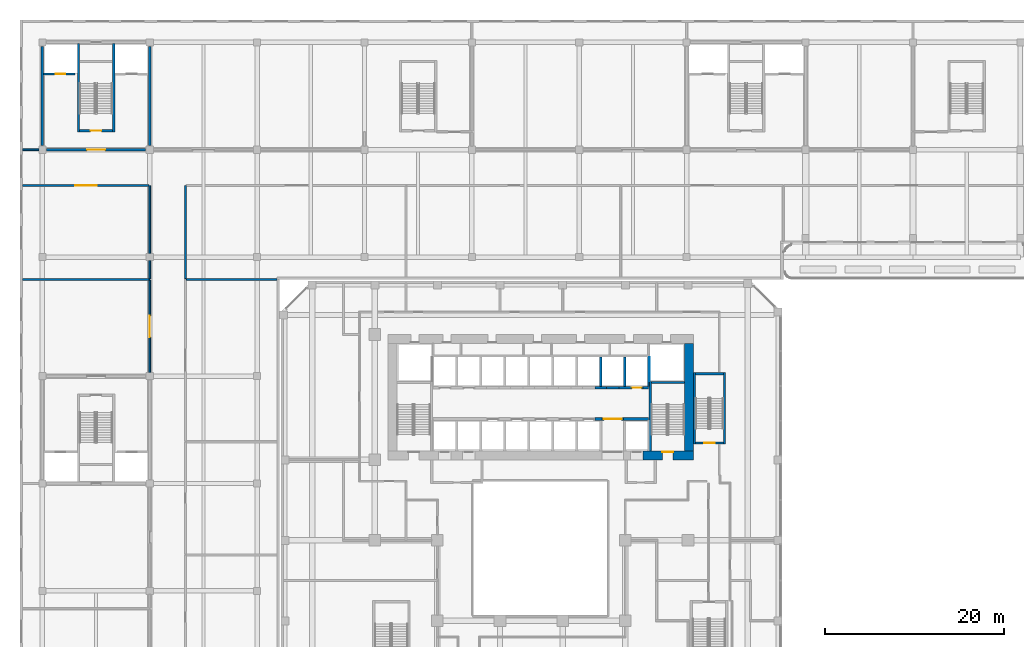
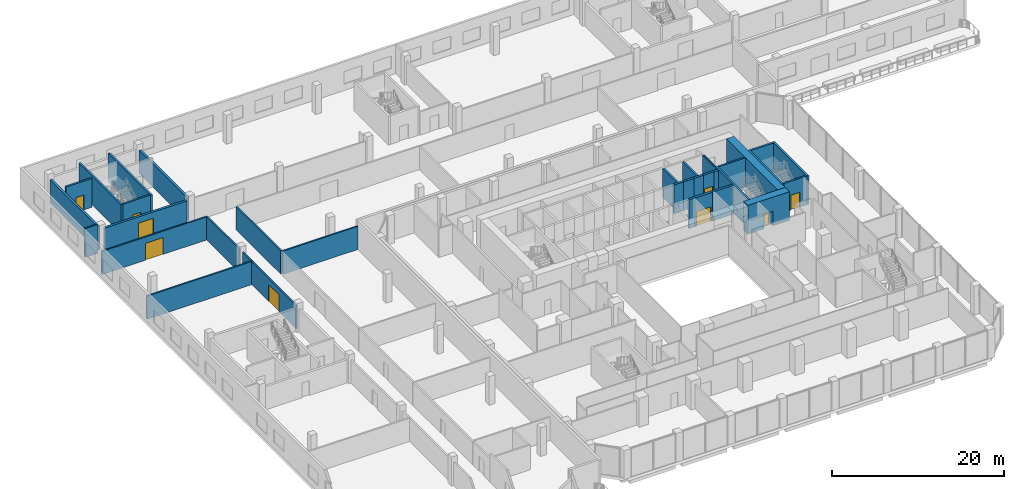
# One storey, part 20 of 35: 35 walls, 9 doors, 9 openings.
"""IFC4 building model written with IfcOpenShell, lengths in metres."""

from ifc_helpers import new_model, si_unit, direction, frame, frame_2d, origin, place, context, subcontext, project, spatial, rectangle, extrude, source, transform, mapped, material, layer, layer_set, type_object, element, fill, save


model = new_model("IFC4")

# Units and contexts
model_context = context("Model", 3, precision=1e-05, world=origin(), true_north=direction((0.0, 1.0)))
body_context = subcontext(model_context, "Body", "Model", "MODEL_VIEW")
ifc_project = project(units=[si_unit("LENGTHUNIT", "METRE"), si_unit("AREAUNIT", "SQUARE_METRE"), si_unit("VOLUMEUNIT", "CUBIC_METRE"), si_unit("PLANEANGLEUNIT", "RADIAN"), si_unit("MASSUNIT", "GRAM", prefix="KILO")], contexts=[model_context])

# Site, building, storey
site_placement = place(None, origin())
site = spatial("IfcSite", under=ifc_project, at=site_placement, CompositionType="ELEMENT")
building_placement = place(site_placement, origin())
building = spatial("IfcBuilding", under=site, at=building_placement, Name="Kilnfold Tower and Market Hall", CompositionType="ELEMENT")
storey_placement = place(building_placement, frame((0.0, 0.0, 13.5)))
storey = spatial("IfcBuildingStorey", under=building, at=storey_placement, Name="L02", CompositionType="ELEMENT", Elevation=13.5)

# Wall, opening, door
ifc_material_1 = material(Name="Concrete C80", Category="concrete")
ifc_layer_1 = layer(ifc_material_1, 1.0)
ifc_layer_set_1 = layer_set([ifc_layer_1], Name="Concrete C80")
wall_type_1 = type_object("IfcWallType", Name="CORE WALL 1000 C80", PredefinedType="SHEAR", material=ifc_layer_set_1)
shared_shape_1 = source(origin(), body_context, "Body", "SweptSolid", [
    extrude(rectangle(XDim=5.630126953125, YDim=1.0, at=frame_2d((2.81494140625, 0.0))), origin(), (0.0, 0.0, 1.0), 4.10009765625),
])
wall_1_placement = place(storey_placement, frame((12.469970703125, 8.5, 0.0), z_axis=(0.0, 0.0, 1.0), x_axis=(1.0, 0.0, 0.0)))
wall_1 = element("IfcWall", 1, at=wall_1_placement, inside=storey, type_object=wall_type_1, Name="Core outer wall south", PredefinedType="SHEAR", context=body_context, shape_type="MappedRepresentation", body=[
    mapped(shared_shape_1, transform((0.0, 0.0, 0.0))),
])
opening_1_placement = place(wall_1_placement, frame((2.179931640625, 0.0, 0.0)))
opening_1 = element("IfcOpeningElement", 2, at=opening_1_placement, cuts=wall_1, Name="Opening SD1", PredefinedType="OPENING", context=body_context, shape_type="SweptSolid", body=[
    extrude(rectangle(XDim=1.199951171875, YDim=2.10009765625, at=frame_2d((0.60009765625, 1.050048828125))), frame((0.0, 0.510009765625, 0.0), z_axis=(0.0, -1.0, 0.0), x_axis=(1.0, 0.0, 0.0)), (0.0, 0.0, 1.0), 1.02001953125),
])
ifc_material_2 = material(Name="Steel door set with fire-resisting leaf", Category="steel")
door_type_1 = type_object("IfcDoorType", Name="STAIR FLOOR DOOR 1200X2100", OperationType="NOTDEFINED", PredefinedType="DOOR", material=ifc_material_2)
door_1_placement = place(opening_1_placement, origin())
door_1 = element("IfcDoor", 3, at=door_1_placement, inside=storey, type_object=door_type_1, Name="Exit stair ST2 door", OperationType="DOUBLE_DOOR_SINGLE_SWING", OverallHeight=2.10009765625, OverallWidth=1.199951171875, PredefinedType="DOOR", context=body_context, shape_type="SweptSolid", body=[
    extrude(rectangle(XDim=1.199951171875, YDim=2.10009765625, at=frame_2d((0.60009765625, 1.050048828125))), frame((0.0, 0.40478515625, 0.0), z_axis=(0.0, -1.0, 0.0), x_axis=(1.0, 0.0, 0.0)), (0.0, 0.0, 1.0), 0.050048828125),
])
fill(opening_1, door_1)

# Walls
shared_shape_2 = source(origin(), body_context, "Body", "SweptSolid", [
    extrude(rectangle(XDim=12.0, YDim=1.0, at=frame_2d((6.0, 0.0))), origin(), (0.0, 0.0, 1.0), 4.10009765625),
])
wall_2_placement = place(storey_placement, frame((17.60009765625, 9.0, 0.0), z_axis=(0.0, 0.0, 1.0), x_axis=(0.0, 1.0, 0.0)))
element("IfcWall", 4, at=wall_2_placement, inside=storey, type_object=wall_type_1, Name="Core outer wall east", PredefinedType="SHEAR", context=body_context, shape_type="MappedRepresentation", body=[
    mapped(shared_shape_2, transform((0.0, 0.0, 0.0))),
])
ifc_material_3 = material(Name="Concrete C80", Category="concrete")
ifc_layer_2 = layer(ifc_material_3, 0.25)
ifc_layer_set_2 = layer_set([ifc_layer_2], Name="Concrete C80")
wall_type_2 = type_object("IfcWallType", Name="CORE WALL 250 C80", PredefinedType="SHEAR", material=ifc_layer_set_2)
shared_shape_3 = source(origin(), body_context, "Body", "SweptSolid", [
    extrude(rectangle(XDim=7.75, YDim=0.25, at=frame_2d((3.875, 0.0))), origin(), (0.0, 0.0, 1.0), 4.10009765625),
])
wall_3_placement = place(storey_placement, frame((13.27490234375, 9.0, 0.0), z_axis=(0.0, 0.0, 1.0), x_axis=(0.0, 1.0, 0.0)))
element("IfcWall", 5, at=wall_3_placement, inside=storey, type_object=wall_type_2, Name="Stair enclosure ST2", PredefinedType="SHEAR", context=body_context, shape_type="MappedRepresentation", body=[
    mapped(shared_shape_3, transform((0.0, 0.0, 0.0))),
])

# Wall, opening, door
ifc_material_4 = material(Name="Concrete C50/60", Category="concrete")
ifc_layer_3 = layer(ifc_material_4, 0.25)
ifc_layer_set_3 = layer_set([ifc_layer_3], Name="Concrete C50/60")
wall_type_3 = type_object("IfcWallType", Name="HALL CORE WALL 250", PredefinedType="SHEAR", material=ifc_layer_set_3)
shared_shape_4 = source(origin(), body_context, "Body", "SweptSolid", [
    extrude(rectangle(XDim=3.699951171875, YDim=0.25, at=frame_2d((1.85009765625, 0.0))), origin(), (0.0, 0.0, 1.0), 4.10009765625),
])
wall_4_placement = place(storey_placement, frame((-46.800048828125, 44.77490234375, 0.0), z_axis=(0.0, 0.0, 1.0), x_axis=(-1.0, 0.0, 0.0)))
wall_4 = element("IfcWall", 6, at=wall_4_placement, inside=storey, type_object=wall_type_3, Name="Core wall MH2", PredefinedType="SHEAR", context=body_context, shape_type="MappedRepresentation", body=[
    mapped(shared_shape_4, transform((0.0, 0.0, 0.0))),
])
opening_2_placement = place(wall_4_placement, frame((1.25, 0.0, 0.0)))
opening_2 = element("IfcOpeningElement", 7, at=opening_2_placement, cuts=wall_4, Name="Opening MD9-60", PredefinedType="OPENING", context=body_context, shape_type="SweptSolid", body=[
    extrude(rectangle(XDim=1.199951171875, YDim=2.10009765625, at=frame_2d((0.60009765625, 1.050048828125))), frame((0.0, 0.135009765625, 0.0), z_axis=(0.0, -1.0, 0.0), x_axis=(1.0, 0.0, 0.0)), (0.0, 0.0, 1.0), 0.27001953125),
])
ifc_material_5 = material(Name="Steel S355", Category="steel")
door_type_2 = type_object("IfcDoorType", Name="HALL DOOR STAIR 1200X2100 FD60", OperationType="NOTDEFINED", PredefinedType="DOOR", material=ifc_material_5)
door_2_placement = place(opening_2_placement, origin())
door_2 = element("IfcDoor", 8, at=door_2_placement, inside=storey, type_object=door_type_2, Name="Door MD9-60", OperationType="DOUBLE_DOOR_SINGLE_SWING", OverallHeight=2.10009765625, OverallWidth=1.199951171875, PredefinedType="DOOR", context=body_context, shape_type="SweptSolid", body=[
    extrude(rectangle(XDim=1.199951171875, YDim=2.10009765625, at=frame_2d((0.60009765625, 1.050048828125))), frame((0.0, 0.02490234375, 0.0), z_axis=(0.0, -1.0, 0.0), x_axis=(1.0, 0.0, 0.0)), (0.0, 0.0, 1.0), 0.050048828125),
])
fill(opening_2, door_2)

# Walls
shared_shape_5 = source(origin(), body_context, "Body", "SweptSolid", [
    extrude(rectangle(XDim=3.7001953125, YDim=0.25, at=frame_2d((1.85009765625, 0.0))), origin(), (0.0, 0.0, 1.0), 4.10009765625),
])
wall_5_placement = place(storey_placement, frame((13.39990234375, 16.625, 0.0), z_axis=(0.0, 0.0, 1.0), x_axis=(1.0, 0.0, 0.0)))
element("IfcWall", 9, at=wall_5_placement, inside=storey, type_object=wall_type_2, Name="Stair enclosure ST2", PredefinedType="SHEAR", context=body_context, shape_type="MappedRepresentation", body=[
    mapped(shared_shape_5, transform((0.0, 0.0, 0.0))),
])
shared_shape_6 = source(origin(), body_context, "Body", "SweptSolid", [
    extrude(rectangle(XDim=8.0, YDim=0.25, at=frame_2d((4.0, 0.0))), origin(), (0.0, 0.0, 1.0), 4.10009765625),
])
for number, where, z_axis, x_axis, name in (
    (10, (18.22509765625, 9.75, 0.0), (0.0, 0.0, 1.0), (0.0, 1.0, 0.0), "Stair enclosure ST5"),
    (11, (21.574951171875, 9.75, 0.0), (0.0, 0.0, 1.0), (0.0, 1.0, 0.0), "Stair enclosure ST5"),
):
    element("IfcWall", number, at=place(storey_placement, frame(where, z_axis=z_axis, x_axis=x_axis)), inside=storey, type_object=wall_type_2, Name=name, PredefinedType="SHEAR", context=body_context, shape_type="MappedRepresentation", body=[
        mapped(shared_shape_6, transform((0.0, 0.0, 0.0))),
    ])

# Wall, opening, door
shared_shape_7 = source(origin(), body_context, "Body", "SweptSolid", [
    extrude(rectangle(XDim=3.099853515625, YDim=0.25, at=frame_2d((1.5498046875, 0.0))), origin(), (0.0, 0.0, 1.0), 4.10009765625),
])
wall_6_placement = place(storey_placement, frame((18.35009765625, 9.875, 0.0), z_axis=(0.0, 0.0, 1.0), x_axis=(1.0, 0.0, 0.0)))
wall_6 = element("IfcWall", 12, at=wall_6_placement, inside=storey, type_object=wall_type_2, Name="Stair enclosure ST5", PredefinedType="SHEAR", context=body_context, shape_type="MappedRepresentation", body=[
    mapped(shared_shape_7, transform((0.0, 0.0, 0.0))),
])
opening_3_placement = place(wall_6_placement, frame((0.949951171875, 0.0, 0.0)))
opening_3 = element("IfcOpeningElement", 13, at=opening_3_placement, cuts=wall_6, Name="Opening SD1", PredefinedType="OPENING", context=body_context, shape_type="SweptSolid", body=[
    extrude(rectangle(XDim=1.199951171875, YDim=2.10009765625, at=frame_2d((0.60009765625, 1.050048828125))), frame((0.0, 0.135009765625, 0.0), z_axis=(0.0, -1.0, 0.0), x_axis=(1.0, 0.0, 0.0)), (0.0, 0.0, 1.0), 0.27001953125),
])
door_3_placement = place(opening_3_placement, origin())
door_3 = element("IfcDoor", 14, at=door_3_placement, inside=storey, type_object=door_type_1, Name="Exit stair ST5 door", OperationType="DOUBLE_DOOR_SINGLE_SWING", OverallHeight=2.10009765625, OverallWidth=1.199951171875, PredefinedType="DOOR", context=body_context, shape_type="SweptSolid", body=[
    extrude(rectangle(XDim=1.199951171875, YDim=2.10009765625, at=frame_2d((0.60009765625, 1.050048828125))), frame((0.0, 0.02490234375, 0.0), z_axis=(0.0, -1.0, 0.0), x_axis=(1.0, 0.0, 0.0)), (0.0, 0.0, 1.0), 0.050048828125),
])
fill(opening_3, door_3)

# Walls
wall_7_placement = place(storey_placement, frame((18.35009765625, 17.625, 0.0), z_axis=(0.0, 0.0, 1.0), x_axis=(1.0, 0.0, 0.0)))
element("IfcWall", 15, at=wall_7_placement, inside=storey, type_object=wall_type_2, Name="Stair enclosure ST5", PredefinedType="SHEAR", context=body_context, shape_type="MappedRepresentation", body=[
    mapped(shared_shape_7, transform((0.0, 0.0, 0.0))),
])
ifc_material_6 = material(Name="Concrete C80", Category="concrete")
ifc_layer_4 = layer(ifc_material_6, 0.300048828125)
ifc_layer_set_4 = layer_set([ifc_layer_4], Name="Concrete C80")
wall_type_4 = type_object("IfcWallType", Name="CORE WALL 300 C80", PredefinedType="SHEAR", material=ifc_layer_set_4)
shared_shape_8 = source(origin(), body_context, "Body", "SweptSolid", [
    extrude(rectangle(XDim=2.820068359375, YDim=0.300048828125, at=frame_2d((1.41015625, 0.0))), origin(), (0.0, 0.0, 1.0), 4.10009765625),
])
wall_8_placement = place(storey_placement, frame((10.2900390625, 12.550048828125, 0.0), z_axis=(0.0, 0.0, 1.0), x_axis=(1.0, 0.0, 0.0)))
element("IfcWall", 16, at=wall_8_placement, inside=storey, type_object=wall_type_4, Name="Core spine wall", PredefinedType="SHEAR", context=body_context, shape_type="MappedRepresentation", body=[
    mapped(shared_shape_8, transform((0.0, 0.0, 0.0))),
])
shared_shape_9 = source(origin(), body_context, "Body", "SweptSolid", [
    extrude(rectangle(XDim=1.280029296875, YDim=0.300048828125, at=frame_2d((0.64013671875, 0.0))), origin(), (0.0, 0.0, 1.0), 4.10009765625),
])
wall_9_placement = place(storey_placement, frame((9.7900390625, 16.050048828125, 0.0), z_axis=(0.0, 0.0, 1.0), x_axis=(1.0, 0.0, 0.0)))
element("IfcWall", 17, at=wall_9_placement, inside=storey, type_object=wall_type_4, Name="Core spine wall", PredefinedType="SHEAR", context=body_context, shape_type="MappedRepresentation", body=[
    mapped(shared_shape_9, transform((0.0, 0.0, 0.0))),
])
shared_shape_10 = source(origin(), body_context, "Body", "SweptSolid", [
    extrude(rectangle(XDim=0.77978515625, YDim=0.300048828125, at=frame_2d((0.389892578125, 0.0))), origin(), (0.0, 0.0, 1.0), 4.10009765625),
])
wall_10_placement = place(storey_placement, frame((7.110107421875, 12.550048828125, 0.0), z_axis=(0.0, 0.0, 1.0), x_axis=(1.0, 0.0, 0.0)))
element("IfcWall", 18, at=wall_10_placement, inside=storey, type_object=wall_type_4, Name="Core spine wall", PredefinedType="SHEAR", context=body_context, shape_type="MappedRepresentation", body=[
    mapped(shared_shape_10, transform((0.0, 0.0, 0.0))),
])
shared_shape_11 = source(origin(), body_context, "Body", "SweptSolid", [
    extrude(rectangle(XDim=1.27978515625, YDim=0.300048828125, at=frame_2d((0.639892578125, 0.0))), origin(), (0.0, 0.0, 1.0), 4.10009765625),
])
wall_11_placement = place(storey_placement, frame((7.110107421875, 16.050048828125, 0.0), z_axis=(0.0, 0.0, 1.0), x_axis=(1.0, 0.0, 0.0)))
element("IfcWall", 19, at=wall_11_placement, inside=storey, type_object=wall_type_4, Name="Core spine wall", PredefinedType="SHEAR", context=body_context, shape_type="MappedRepresentation", body=[
    mapped(shared_shape_11, transform((0.0, 0.0, 0.0))),
])
shared_shape_12 = source(origin(), body_context, "Body", "SweptSolid", [
    extrude(rectangle(XDim=0.64013671875, YDim=0.300048828125, at=frame_2d((0.320068359375, 0.0))), origin(), (0.0, 0.0, 1.0), 4.10009765625),
])
wall_12_placement = place(storey_placement, frame((12.469970703125, 16.050048828125, 0.0), z_axis=(0.0, 0.0, 1.0), x_axis=(1.0, 0.0, 0.0)))
element("IfcWall", 20, at=wall_12_placement, inside=storey, type_object=wall_type_4, Name="Core spine wall", PredefinedType="SHEAR", context=body_context, shape_type="MappedRepresentation", body=[
    mapped(shared_shape_12, transform((0.0, 0.0, 0.0))),
])
shared_shape_13 = source(origin(), body_context, "Body", "SweptSolid", [
    extrude(rectangle(XDim=9.85009765625, YDim=0.25, at=frame_2d((4.925048828125, 0.0))), origin(), (0.0, 0.0, 1.0), 4.10009765625),
])
for number, where, z_axis, x_axis, name in (
    (21, (-46.675048828125, 54.5, 0.0), (0.0, 0.0, 1.0), (0.0, -1.0, 0.0), "Core wall MH2"),
    (22, (-50.625, 54.5, 0.0), (0.0, 0.0, 1.0), (0.0, -1.0, 0.0), "Core wall MH2"),
):
    element("IfcWall", number, at=place(storey_placement, frame(where, z_axis=z_axis, x_axis=x_axis)), inside=storey, type_object=wall_type_3, Name=name, PredefinedType="SHEAR", context=body_context, shape_type="MappedRepresentation", body=[
        mapped(shared_shape_13, transform((0.0, 0.0, 0.0))),
    ])

# Wall, opening, door
shared_shape_14 = source(origin(), body_context, "Body", "SweptSolid", [
    extrude(rectangle(XDim=3.5, YDim=0.25, at=frame_2d((1.75, 0.0))), origin(), (0.0, 0.0, 1.0), 4.10009765625),
])
wall_13_placement = place(storey_placement, frame((-51.0, 51.125, 0.0), z_axis=(0.0, 0.0, 1.0), x_axis=(-1.0, 0.0, 0.0)))
wall_13 = element("IfcWall", 23, at=wall_13_placement, inside=storey, type_object=wall_type_3, Name="Core wall MH2", PredefinedType="SHEAR", context=body_context, shape_type="MappedRepresentation", body=[
    mapped(shared_shape_14, transform((0.0, 0.0, 0.0))),
])
opening_4_placement = place(wall_13_placement, frame((1.074951171875, 0.0, 0.0)))
opening_4 = element("IfcOpeningElement", 24, at=opening_4_placement, cuts=wall_13, Name="Opening LD", PredefinedType="OPENING", context=body_context, shape_type="SweptSolid", body=[
    extrude(rectangle(XDim=1.10009765625, YDim=2.10009765625, at=frame_2d((0.550048828125, 1.050048828125))), frame((0.0, 0.135009765625, 0.0), z_axis=(0.0, -1.0, 0.0), x_axis=(1.0, 0.0, 0.0)), (0.0, 0.0, 1.0), 0.27001953125),
])
ifc_material_7 = material(Name="Steel S355", Category="steel")
door_type_3 = type_object("IfcDoorType", Name="HALL LANDING DOOR 1100X2100 FD60", OperationType="NOTDEFINED", PredefinedType="DOOR", material=ifc_material_7)
door_4_placement = place(opening_4_placement, origin())
door_4 = element("IfcDoor", 25, at=door_4_placement, inside=storey, type_object=door_type_3, Name="Door LD", OperationType="SLIDING_TO_LEFT", OverallHeight=2.10009765625, OverallWidth=1.10009765625, PredefinedType="DOOR", context=body_context, shape_type="SweptSolid", body=[
    extrude(rectangle(XDim=1.10009765625, YDim=2.10009765625, at=frame_2d((0.550048828125, 1.050048828125))), frame((0.0, 0.02490234375, 0.0), z_axis=(0.0, -1.0, 0.0), x_axis=(1.0, 0.0, 0.0)), (0.0, 0.0, 1.0), 0.050048828125),
])
fill(opening_4, door_4)

ifc_material_8 = material(Name="Concrete C50/60", Category="concrete")
ifc_layer_5 = layer(ifc_material_8, 0.300048828125)
ifc_layer_set_5 = layer_set([ifc_layer_5], Name="Concrete C50/60")
wall_type_5 = type_object("IfcWallType", Name="HALL CORE WALL 300", PredefinedType="SHEAR", material=ifc_layer_set_5)
shared_shape_15 = source(origin(), body_context, "Body", "SweptSolid", [
    extrude(rectangle(XDim=11.099853515625, YDim=0.300048828125, at=frame_2d((5.5498046875, 0.0))), origin(), (0.0, 0.0, 1.0), 3.300048828125),
])
wall_14_placement = place(storey_placement, frame((-43.10009765625, 42.64990234375, 0.0), z_axis=(0.0, 0.0, 1.0), x_axis=(-1.0, 0.0, 0.0)))
wall_14 = element("IfcWall", 26, at=wall_14_placement, inside=storey, type_object=wall_type_5, Name="Core wall MH2", PredefinedType="SHEAR", context=body_context, shape_type="MappedRepresentation", body=[
    mapped(shared_shape_15, transform((0.0, 0.0, 0.0))),
])
opening_5_placement = place(wall_14_placement, frame((4.550048828125, 0.0, 0.0)))
opening_5 = element("IfcOpeningElement", 27, at=opening_5_placement, cuts=wall_14, Name="Opening MD10-60", PredefinedType="OPENING", context=body_context, shape_type="SweptSolid", body=[
    extrude(rectangle(XDim=2.0, YDim=2.39990234375, at=frame_2d((1.0, 1.199951171875))), frame((0.0, 0.16015625, 0.0), z_axis=(0.0, -1.0, 0.0), x_axis=(1.0, 0.0, 0.0)), (0.0, 0.0, 1.0), 0.320068359375),
])
ifc_material_9 = material(Name="Aluminium glazing", Category="aluminium")
door_type_4 = type_object("IfcDoorType", Name="HALL DOOR LOBBY 2000X2400 FD60", OperationType="NOTDEFINED", PredefinedType="DOOR", material=ifc_material_9)
door_5_placement = place(opening_5_placement, origin())
door_5 = element("IfcDoor", 28, at=door_5_placement, inside=storey, type_object=door_type_4, Name="Door MD10-60", OperationType="DOUBLE_DOOR_SINGLE_SWING", OverallHeight=2.39990234375, OverallWidth=2.0, PredefinedType="DOOR", context=body_context, shape_type="SweptSolid", body=[
    extrude(rectangle(XDim=2.0, YDim=2.39990234375, at=frame_2d((1.0, 1.199951171875))), frame((0.0, 0.02490234375, 0.0), z_axis=(0.0, -1.0, 0.0), x_axis=(1.0, 0.0, 0.0)), (0.0, 0.0, 1.0), 0.050048828125),
])
fill(opening_5, door_5)

# Walls
for number, where, z_axis, x_axis, name in (
    (29, (-42.64990234375, 54.199951171875, 0.0), (0.0, 0.0, 1.0), (0.0, -1.0, 0.0), "Core wall MH2"),
    (30, (-54.64990234375, 54.199951171875, 0.0), (0.0, 0.0, 1.0), (0.0, -1.0, 0.0), "Core wall MH2"),
):
    element("IfcWall", number, at=place(storey_placement, frame(where, z_axis=z_axis, x_axis=x_axis)), inside=storey, type_object=wall_type_5, Name=name, PredefinedType="SHEAR", context=body_context, shape_type="MappedRepresentation", body=[
        mapped(shared_shape_15, transform((0.0, 0.0, 0.0))),
    ])

# Wall, opening, door
ifc_material_10 = material(Name="Gypsum shaft wall system")
ifc_layer_6 = layer(ifc_material_10, 0.300048828125)
ifc_layer_set_6 = layer_set([ifc_layer_6], Name="Gypsum shaft wall system")
wall_type_6 = type_object("IfcWallType", Name="SHAFT WALL 300", PredefinedType="PARTITIONING", material=ifc_layer_set_6)
shared_shape_16 = source(origin(), body_context, "Body", "SweptSolid", [
    extrude(rectangle(XDim=1.39990234375, YDim=0.300048828125, at=frame_2d((0.699951171875, 0.0))), origin(), (0.0, 0.0, 1.0), 4.10009765625),
])
wall_15_placement = place(storey_placement, frame((11.070068359375, 16.050048828125, 0.0), z_axis=(0.0, 0.0, 1.0), x_axis=(1.0, 0.0, 0.0)))
wall_15 = element("IfcWall", 31, at=wall_15_placement, inside=storey, type_object=wall_type_6, Name="Lift shaft front wall", PredefinedType="PARTITIONING", context=body_context, shape_type="MappedRepresentation", body=[
    mapped(shared_shape_16, transform((0.0, 0.0, 0.0))),
])
opening_6_placement = place(wall_15_placement, frame((0.14990234375, 0.0, 0.0)))
opening_6 = element("IfcOpeningElement", 32, at=opening_6_placement, cuts=wall_15, Name="Opening LD2", PredefinedType="OPENING", context=body_context, shape_type="SweptSolid", body=[
    extrude(rectangle(XDim=1.10009765625, YDim=2.10009765625, at=frame_2d((0.550048828125, 1.050048828125))), frame((0.0, 0.16015625, 0.0), z_axis=(0.0, -1.0, 0.0), x_axis=(1.0, 0.0, 0.0)), (0.0, 0.0, 1.0), 0.320068359375),
])
ifc_material_11 = material(Name="Steel door set with fire-resisting leaf", Category="steel")
door_type_5 = type_object("IfcDoorType", Name="LANDING DOOR 1100X2100", OperationType="NOTDEFINED", PredefinedType="DOOR", material=ifc_material_11)
door_6_placement = place(opening_6_placement, origin())
door_6 = element("IfcDoor", 33, at=door_6_placement, inside=storey, type_object=door_type_5, Name="Landing door LR6", OperationType="DOUBLE_DOOR_SLIDING", OverallHeight=2.10009765625, OverallWidth=1.10009765625, PredefinedType="DOOR", context=body_context, shape_type="SweptSolid", body=[
    extrude(rectangle(XDim=1.10009765625, YDim=2.10009765625, at=frame_2d((0.550048828125, 1.050048828125))), frame((0.0, 0.02490234375, 0.0), z_axis=(0.0, -1.0, 0.0), x_axis=(1.0, 0.0, 0.0)), (0.0, 0.0, 1.0), 0.050048828125),
])
fill(opening_6, door_6)

# Wall
shared_shape_17 = source(origin(), body_context, "Body", "SweptSolid", [
    extrude(rectangle(XDim=1.400146484375, YDim=0.300048828125, at=frame_2d((0.7001953125, 0.0))), origin(), (0.0, 0.0, 1.0), 4.10009765625),
])
wall_16_placement = place(storey_placement, frame((8.389892578125, 16.050048828125, 0.0), z_axis=(0.0, 0.0, 1.0), x_axis=(1.0, 0.0, 0.0)))
element("IfcWall", 34, at=wall_16_placement, inside=storey, type_object=wall_type_6, Name="Lift shaft front wall", PredefinedType="PARTITIONING", context=body_context, shape_type="MappedRepresentation", body=[
    mapped(shared_shape_17, transform((0.0, 0.0, 0.0))),
])

# Wall, opening, door
shared_shape_18 = source(origin(), body_context, "Body", "SweptSolid", [
    extrude(rectangle(XDim=2.400146484375, YDim=0.300048828125, at=frame_2d((1.2001953125, 0.0))), origin(), (0.0, 0.0, 1.0), 4.10009765625),
])
wall_17_placement = place(storey_placement, frame((7.889892578125, 12.550048828125, 0.0), z_axis=(0.0, 0.0, 1.0), x_axis=(1.0, 0.0, 0.0)))
wall_17 = element("IfcWall", 35, at=wall_17_placement, inside=storey, type_object=wall_type_6, Name="Lift shaft front wall", PredefinedType="PARTITIONING", context=body_context, shape_type="MappedRepresentation", body=[
    mapped(shared_shape_18, transform((0.0, 0.0, 0.0))),
])
opening_7_placement = place(wall_17_placement, frame((0.199951171875, 0.0, 0.0)))
opening_7 = element("IfcOpeningElement", 36, at=opening_7_placement, cuts=wall_17, Name="Opening VD2", PredefinedType="OPENING", context=body_context, shape_type="SweptSolid", body=[
    extrude(rectangle(XDim=2.0, YDim=2.10009765625, at=frame_2d((1.0, 1.050048828125))), frame((0.0, 0.16015625, 0.0), z_axis=(0.0, -1.0, 0.0), x_axis=(1.0, 0.0, 0.0)), (0.0, 0.0, 1.0), 0.320068359375),
])
ifc_material_12 = material(Name="Steel door set with fire-resisting leaf", Category="steel")
door_type_6 = type_object("IfcDoorType", Name="LIFT LOBBY ENTRANCE DOOR 2000X2100", OperationType="NOTDEFINED", PredefinedType="DOOR", material=ifc_material_12)
door_7_placement = place(opening_7_placement, origin())
door_7 = element("IfcDoor", 37, at=door_7_placement, inside=storey, type_object=door_type_6, Name="Lift lobby entrance door", OperationType="DOUBLE_DOOR_SINGLE_SWING", OverallHeight=2.10009765625, OverallWidth=2.0, PredefinedType="DOOR", context=body_context, shape_type="SweptSolid", body=[
    extrude(rectangle(XDim=2.0, YDim=2.10009765625, at=frame_2d((1.0, 1.050048828125))), frame((0.0, 0.02490234375, 0.0), z_axis=(0.0, -1.0, 0.0), x_axis=(1.0, 0.0, 0.0)), (0.0, 0.0, 1.0), 0.050048828125),
])
fill(opening_7, door_7)

# Walls
ifc_material_13 = material(Name="Gypsum shaft wall system")
ifc_layer_7 = layer(ifc_material_13, 0.1650390625)
ifc_layer_set_7 = layer_set([ifc_layer_7], Name="Gypsum shaft wall system")
wall_type_7 = type_object("IfcWallType", Name="SHAFT WALL 165", PredefinedType="PARTITIONING", material=ifc_layer_set_7)
shared_shape_19 = source(origin(), body_context, "Body", "SweptSolid", [
    extrude(rectangle(XDim=3.275146484375, YDim=0.1650390625, at=frame_2d((1.6376953125, 0.0))), origin(), (0.0, 0.0, 1.0), 4.10009765625),
])
wall_18_placement = place(storey_placement, frame((13.0673828125, 16.199951171875, 0.0), z_axis=(0.0, 0.0, 1.0), x_axis=(0.0, 1.0, 0.0)))
element("IfcWall", 38, at=wall_18_placement, inside=storey, type_object=wall_type_7, Name="Lift shaft wall", PredefinedType="PARTITIONING", context=body_context, shape_type="MappedRepresentation", body=[
    mapped(shared_shape_19, transform((0.0, 0.0, 0.0))),
])
ifc_material_14 = material(Name="Gypsum shaft wall system")
ifc_layer_8 = layer(ifc_material_14, 0.25)
ifc_layer_set_8 = layer_set([ifc_layer_8], Name="Gypsum shaft wall system")
wall_type_8 = type_object("IfcWallType", Name="SHAFT WALL 250", PredefinedType="PARTITIONING", material=ifc_layer_set_8)
shared_shape_20 = source(origin(), body_context, "Body", "SweptSolid", [
    extrude(rectangle(XDim=3.275146484375, YDim=0.25, at=frame_2d((1.6376953125, 0.0))), origin(), (0.0, 0.0, 1.0), 4.10009765625),
])
for number, where, z_axis, x_axis, name in (
    (39, (10.429931640625, 16.199951171875, 0.0), (0.0, 0.0, 1.0), (0.0, 1.0, 0.0), "Lift shaft wall"),
    (40, (7.75, 16.199951171875, 0.0), (0.0, 0.0, 1.0), (0.0, 1.0, 0.0), "Lift shaft wall"),
):
    element("IfcWall", number, at=place(storey_placement, frame(where, z_axis=z_axis, x_axis=x_axis)), inside=storey, type_object=wall_type_8, Name=name, PredefinedType="PARTITIONING", context=body_context, shape_type="MappedRepresentation", body=[
        mapped(shared_shape_20, transform((0.0, 0.0, 0.0))),
    ])
ifc_material_15 = material(Name="Gypsum shaft wall system")
ifc_layer_9 = layer(ifc_material_15, 0.0849609375)
ifc_layer_set_9 = layer_set([ifc_layer_9], Name="Gypsum shaft wall system")
wall_type_9 = type_object("IfcWallType", Name="SHAFT WALL 85", PredefinedType="PARTITIONING", material=ifc_layer_set_9)
shared_shape_21 = source(origin(), body_context, "Body", "SweptSolid", [
    extrude(rectangle(XDim=2.72509765625, YDim=0.0849609375, at=frame_2d((1.362548828125, 0.0))), origin(), (0.0, 0.0, 1.0), 4.10009765625),
])
wall_19_placement = place(storey_placement, frame((13.1923828125, 16.75, 0.0), z_axis=(0.0, 0.0, 1.0), x_axis=(0.0, 1.0, 0.0)))
element("IfcWall", 41, at=wall_19_placement, inside=storey, type_object=wall_type_9, Name="Lift shaft wall", PredefinedType="PARTITIONING", context=body_context, shape_type="MappedRepresentation", body=[
    mapped(shared_shape_21, transform((0.0, 0.0, 0.0))),
])
ifc_material_16 = material(Name="Concrete blockwork", Category="masonry")
ifc_layer_10 = layer(ifc_material_16, 0.199951171875)
ifc_layer_set_10 = layer_set([ifc_layer_10], Name="Concrete blockwork")
wall_type_10 = type_object("IfcWallType", Name="HALL PARTITION 200 EI 60", PredefinedType="PARTITIONING", material=ifc_layer_set_10)
shared_shape_22 = source(origin(), body_context, "Body", "SweptSolid", [
    extrude(rectangle(XDim=1.800048828125, YDim=0.199951171875, at=frame_2d((0.89990234375, 0.0))), origin(), (0.0, 0.0, 1.0), 4.10009765625),
])
wall_20_placement = place(storey_placement, frame((-56.85009765625, 42.64990234375, 0.0), z_axis=(0.0, 0.0, 1.0), x_axis=(1.0, 0.0, 0.0)))
element("IfcWall", 42, at=wall_20_placement, inside=storey, type_object=wall_type_10, Name="Partition W-MH-L02.5", PredefinedType="PARTITIONING", context=body_context, shape_type="MappedRepresentation", body=[
    mapped(shared_shape_22, transform((0.0, 0.0, 0.0))),
])
shared_shape_23 = source(origin(), body_context, "Body", "SweptSolid", [
    extrude(rectangle(XDim=14.2001953125, YDim=0.199951171875, at=frame_2d((7.10009765625, 0.0))), origin(), (0.0, 0.0, 1.0), 3.300048828125),
])
wall_21_placement = place(storey_placement, frame((-56.85009765625, 28.14990234375, 0.0), z_axis=(0.0, 0.0, 1.0), x_axis=(1.0, 0.0, 0.0)))
element("IfcWall", 43, at=wall_21_placement, inside=storey, type_object=wall_type_10, Name="Partition W-MH-L02.4", PredefinedType="PARTITIONING", context=body_context, shape_type="MappedRepresentation", body=[
    mapped(shared_shape_23, transform((0.0, 0.0, 0.0))),
])

# Wall, opening, door
shared_shape_24 = source(origin(), body_context, "Body", "SweptSolid", [
    extrude(rectangle(XDim=10.300048828125, YDim=0.199951171875, at=frame_2d((5.14990234375, 0.0))), origin(), (0.0, 0.0, 1.0), 3.300048828125),
])
wall_22_placement = place(storey_placement, frame((-42.64990234375, 17.75, 0.0), z_axis=(0.0, 0.0, 1.0), x_axis=(0.0, 1.0, 0.0)))
wall_22 = element("IfcWall", 44, at=wall_22_placement, inside=storey, type_object=wall_type_10, Name="Partition W-MH-L02.11", PredefinedType="PARTITIONING", context=body_context, shape_type="MappedRepresentation", body=[
    mapped(shared_shape_24, transform((0.0, 0.0, 0.0))),
])
opening_8_placement = place(wall_22_placement, frame((3.949951171875, 0.0, 0.0)))
opening_8 = element("IfcOpeningElement", 45, at=opening_8_placement, cuts=wall_22, Name="Opening MD7-60", PredefinedType="OPENING", context=body_context, shape_type="SweptSolid", body=[
    extrude(rectangle(XDim=2.39990234375, YDim=2.39990234375, at=frame_2d((1.199951171875, 1.199951171875))), frame((0.0, 0.10986328125, 0.0), z_axis=(0.0, -1.0, 0.0), x_axis=(1.0, 0.0, 0.0)), (0.0, 0.0, 1.0), 0.219970703125),
])
ifc_material_17 = material(Name="Aluminium glazing", Category="aluminium")
door_type_7 = type_object("IfcDoorType", Name="HALL DOOR HALL 2400X2400 FD60", OperationType="NOTDEFINED", PredefinedType="DOOR", material=ifc_material_17)
door_8_placement = place(opening_8_placement, origin())
door_8 = element("IfcDoor", 46, at=door_8_placement, inside=storey, type_object=door_type_7, Name="Door MD7-60", OperationType="DOUBLE_DOOR_SINGLE_SWING", OverallHeight=2.39990234375, OverallWidth=2.39990234375, PredefinedType="DOOR", context=body_context, shape_type="SweptSolid", body=[
    extrude(rectangle(XDim=2.39990234375, YDim=2.39990234375, at=frame_2d((1.199951171875, 1.199951171875))), frame((0.0, 0.02490234375, 0.0), z_axis=(0.0, -1.0, 0.0), x_axis=(1.0, 0.0, 0.0)), (0.0, 0.0, 1.0), 0.050048828125),
])
fill(opening_8, door_8)

# Walls
shared_shape_25 = source(origin(), body_context, "Body", "SweptSolid", [
    extrude(rectangle(XDim=2.0, YDim=0.199951171875, at=frame_2d((1.0, 0.0))), origin(), (0.0, 0.0, 1.0), 3.300048828125),
])
wall_23_placement = place(storey_placement, frame((-42.64990234375, 28.25, 0.0), z_axis=(0.0, 0.0, 1.0), x_axis=(0.0, 1.0, 0.0)))
element("IfcWall", 47, at=wall_23_placement, inside=storey, type_object=wall_type_10, Name="Partition W-MH-L02.12", PredefinedType="PARTITIONING", context=body_context, shape_type="MappedRepresentation", body=[
    mapped(shared_shape_25, transform((0.0, 0.0, 0.0))),
])
shared_shape_26 = source(origin(), body_context, "Body", "SweptSolid", [
    extrude(rectangle(XDim=7.599853515625, YDim=0.199951171875, at=frame_2d((3.7998046875, 0.0))), origin(), (0.0, 0.0, 1.0), 3.300048828125),
])
wall_24_placement = place(storey_placement, frame((-42.64990234375, 31.050048828125, 0.0), z_axis=(0.0, 0.0, 1.0), x_axis=(0.0, 1.0, 0.0)))
element("IfcWall", 48, at=wall_24_placement, inside=storey, type_object=wall_type_10, Name="Partition W-MH-L02.13", PredefinedType="PARTITIONING", context=body_context, shape_type="MappedRepresentation", body=[
    mapped(shared_shape_26, transform((0.0, 0.0, 0.0))),
])

# Wall, opening, door
shared_shape_27 = source(origin(), body_context, "Body", "SweptSolid", [
    extrude(rectangle(XDim=14.10009765625, YDim=0.199951171875, at=frame_2d((7.050048828125, 0.0))), origin(), (0.0, 0.0, 1.0), 3.300048828125),
])
wall_25_placement = place(storey_placement, frame((-42.75, 38.64990234375, 0.0), z_axis=(0.0, 0.0, 1.0), x_axis=(-1.0, 0.0, 0.0)))
wall_25 = element("IfcWall", 49, at=wall_25_placement, inside=storey, type_object=wall_type_10, Name="Partition W-MH-L02.14", PredefinedType="PARTITIONING", context=body_context, shape_type="MappedRepresentation", body=[
    mapped(shared_shape_27, transform((0.0, 0.0, 0.0))),
])
opening_9_placement = place(wall_25_placement, frame((5.85009765625, 0.0, 0.0)))
opening_9 = element("IfcOpeningElement", 50, at=opening_9_placement, cuts=wall_25, Name="Opening MD7-60", PredefinedType="OPENING", context=body_context, shape_type="SweptSolid", body=[
    extrude(rectangle(XDim=2.39990234375, YDim=2.39990234375, at=frame_2d((1.199951171875, 1.199951171875))), frame((0.0, 0.10986328125, 0.0), z_axis=(0.0, -1.0, 0.0), x_axis=(1.0, 0.0, 0.0)), (0.0, 0.0, 1.0), 0.219970703125),
])
door_9_placement = place(opening_9_placement, origin())
door_9 = element("IfcDoor", 51, at=door_9_placement, inside=storey, type_object=door_type_7, Name="Door MD7-60", OperationType="DOUBLE_DOOR_SINGLE_SWING", OverallHeight=2.39990234375, OverallWidth=2.39990234375, PredefinedType="DOOR", context=body_context, shape_type="SweptSolid", body=[
    extrude(rectangle(XDim=2.39990234375, YDim=2.39990234375, at=frame_2d((1.199951171875, 1.199951171875))), frame((0.0, 0.02490234375, 0.0), z_axis=(0.0, -1.0, 0.0), x_axis=(1.0, 0.0, 0.0)), (0.0, 0.0, 1.0), 0.050048828125),
])
fill(opening_9, door_9)

# Walls
shared_shape_28 = source(origin(), body_context, "Body", "SweptSolid", [
    extrude(rectangle(XDim=10.10009765625, YDim=0.199951171875, at=frame_2d((5.050048828125, 0.0))), origin(), (0.0, 0.0, 1.0), 3.300048828125),
])
wall_26_placement = place(storey_placement, frame((-38.550048828125, 28.14990234375, 0.0), z_axis=(0.0, 0.0, 1.0), x_axis=(1.0, 0.0, 0.0)))
element("IfcWall", 52, at=wall_26_placement, inside=storey, type_object=wall_type_10, Name="Partition W-MH-L02.27", PredefinedType="PARTITIONING", context=body_context, shape_type="MappedRepresentation", body=[
    mapped(shared_shape_28, transform((0.0, 0.0, 0.0))),
])
shared_shape_29 = source(origin(), body_context, "Body", "SweptSolid", [
    extrude(rectangle(XDim=10.39990234375, YDim=0.199951171875, at=frame_2d((5.199951171875, 0.0))), origin(), (0.0, 0.0, 1.0), 3.300048828125),
])
wall_27_placement = place(storey_placement, frame((-38.64990234375, 38.64990234375, 0.0), z_axis=(0.0, 0.0, 1.0), x_axis=(0.0, -1.0, 0.0)))
element("IfcWall", 53, at=wall_27_placement, inside=storey, type_object=wall_type_10, Name="Partition W-MH-L02.28", PredefinedType="PARTITIONING", context=body_context, shape_type="MappedRepresentation", body=[
    mapped(shared_shape_29, transform((0.0, 0.0, 0.0))),
])

save(model, "model.ifc")
